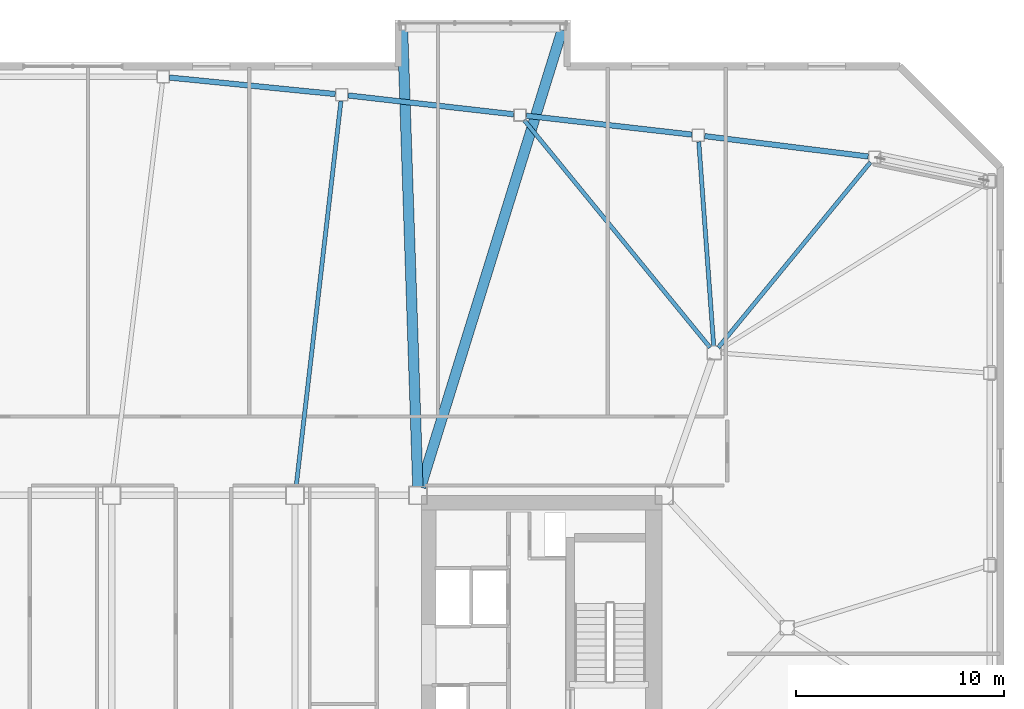
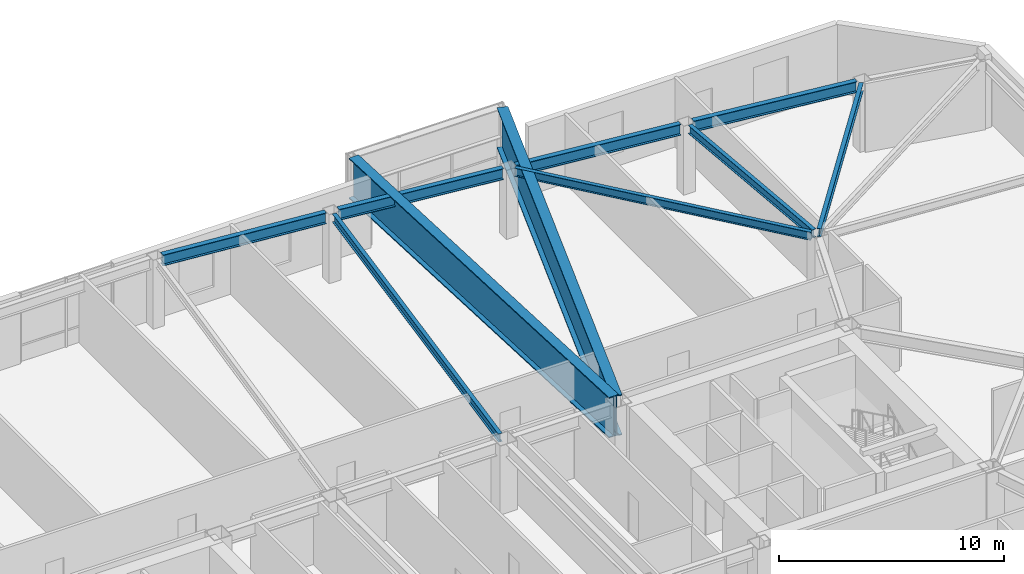
# One storey, part 9 of 20: 10 beams.
"""IFC4 building model written with IfcOpenShell, lengths in metres."""

from ifc_helpers import new_model, si_unit, direction, frame, origin, origin_2d, place, context, subcontext, project, spatial, i_section, extrude, material, material_profile, profile_set, type_object, element, save


model = new_model("IFC4")

# Units and contexts
model_context = context("Model", 3, precision=1e-05, world=origin(), true_north=direction((0.0, 1.0)))
body_context = subcontext(model_context, "Body", "Model", "MODEL_VIEW")
ifc_project = project(units=[si_unit("LENGTHUNIT", "METRE"), si_unit("AREAUNIT", "SQUARE_METRE"), si_unit("VOLUMEUNIT", "CUBIC_METRE"), si_unit("PLANEANGLEUNIT", "RADIAN"), si_unit("MASSUNIT", "GRAM", prefix="KILO")], contexts=[model_context])

# Site, building, storey
site_placement = place(None, origin())
site = spatial("IfcSite", under=ifc_project, at=site_placement, CompositionType="ELEMENT")
building_placement = place(site_placement, origin())
building = spatial("IfcBuilding", under=site, at=building_placement, Name="Tavrogorsk Clinical Tower", CompositionType="ELEMENT")
storey_placement = place(building_placement, frame((0.0, 0.0, 176.199951171875)))
storey = spatial("IfcBuildingStorey", under=building, at=storey_placement, Name="L40", CompositionType="ELEMENT", Elevation=176.199951171875)

# Beams
ifc_material_1 = material(Name="Structural steel S355", Category="steel")
ifc_material_profile_1 = material_profile(ifc_material_1, i_section(OverallWidth=0.199951171875, OverallDepth=0.449951171875, WebThickness=0.011474609375, FlangeThickness=0.01806640625, at=origin_2d()), Name="B-450x200x11.5x18")
ifc_profile_set_1 = profile_set([ifc_material_profile_1], Name="Structural steel S355")
beam_type_1 = type_object("IfcBeamType", Name="FloorBeam_B450", PredefinedType="BEAM", material=ifc_profile_set_1)
beam_1_placement = place(storey_placement, frame((24.69677734375, 13.439453125, 3.51513671875), z_axis=(0.634628511763, 0.772817347151, 0.0), x_axis=(-0.772817347151, 0.634628511763, 0.0)))
element("IfcBeam", 1, at=beam_1_placement, inside=storey, type_object=beam_type_1, Name="L40 Radial Floor Beam N1", PredefinedType="BEAM", context=body_context, shape_type="SweptSolid", body=[
    extrude(i_section(OverallWidth=0.199951171875, OverallDepth=0.449951171875, WebThickness=0.011474609375, FlangeThickness=0.01806640625, at=origin_2d()), origin(), (0.0, 0.0, 1.0), 11.501220703125),
])
beam_2_placement = place(storey_placement, frame((24.477294921875, 13.50927734375, 3.51513671875), z_axis=(-0.072962981763, 0.9973346496, 0.0), x_axis=(-0.9973346496, -0.072962981763, 0.0)))
element("IfcBeam", 2, at=beam_2_placement, inside=storey, type_object=beam_type_1, Name="L40 Radial Floor Beam N2", PredefinedType="BEAM", context=body_context, shape_type="SweptSolid", body=[
    extrude(i_section(OverallWidth=0.199951171875, OverallDepth=0.449951171875, WebThickness=0.011474609375, FlangeThickness=0.01806640625, at=origin_2d()), origin(), (0.0, 0.0, 1.0), 9.827392578125),
])
beam_3_placement = place(storey_placement, frame((24.3037109375, 13.43994140625, 3.51513671875), z_axis=(-0.632955765669, 0.774187960838, 0.0), x_axis=(-0.774187960838, -0.632955765669, 0.0)))
element("IfcBeam", 3, at=beam_3_placement, inside=storey, type_object=beam_type_1, Name="L40 Radial Floor Beam N3", PredefinedType="BEAM", context=body_context, shape_type="SweptSolid", body=[
    extrude(i_section(OverallWidth=0.199951171875, OverallDepth=0.449951171875, WebThickness=0.011474609375, FlangeThickness=0.01806640625, at=origin_2d()), origin(), (0.0, 0.0, 1.0), 14.09716796875),
])
beam_4_placement = place(storey_placement, frame((4.447265625, 6.75732421875, 3.51513671875), z_axis=(0.115490633481, 0.993308569166, 0.0), x_axis=(-0.993308569166, 0.115490633481, 0.0)))
element("IfcBeam", 4, at=beam_4_placement, inside=storey, type_object=beam_type_1, Name="L40 Radial Floor Beam N4", PredefinedType="BEAM", context=body_context, shape_type="SweptSolid", body=[
    extrude(i_section(OverallWidth=0.199951171875, OverallDepth=0.449951171875, WebThickness=0.011474609375, FlangeThickness=0.01806640625, at=origin_2d()), origin(), (0.0, 0.0, 1.0), 18.628173828125),
])
ifc_material_2 = material(Name="Structural steel S390", Category="steel")
ifc_material_profile_2 = material_profile(ifc_material_2, i_section(OverallWidth=0.260009765625, OverallDepth=0.60009765625, WebThickness=0.014892578125, FlangeThickness=0.02392578125, at=origin_2d()), Name="B-600x260x15x24")
ifc_profile_set_2 = profile_set([ifc_material_profile_2], Name="Structural steel S390")
beam_type_2 = type_object("IfcBeamType", Name="SpandrelBeam_B600", PredefinedType="SPANDREL", material=ifc_profile_set_2)
beam_5_placement = place(storey_placement, frame((31.8857421875, 22.60400390625, 3.43994140625), z_axis=(-0.992347112015, 0.123479590521, 0.0), x_axis=(-0.123479590521, -0.992347112015, 0.0)))
element("IfcBeam", 5, at=beam_5_placement, inside=storey, type_object=beam_type_2, Name="L40 Perimeter Spandrel N1-N2", PredefinedType="SPANDREL", context=body_context, shape_type="SweptSolid", body=[
    extrude(i_section(OverallWidth=0.260009765625, OverallDepth=0.60009765625, WebThickness=0.014892578125, FlangeThickness=0.02392578125, at=origin_2d()), origin(), (0.0, 0.0, 1.0), 7.90283203125),
])
beam_6_placement = place(storey_placement, frame((23.431884765625, 23.652587890625, 3.43994140625), z_axis=(-0.993569841398, 0.113220891465, 0.0), x_axis=(-0.113220891465, -0.993569841398, 0.0)))
element("IfcBeam", 6, at=beam_6_placement, inside=storey, type_object=beam_type_2, Name="L40 Perimeter Spandrel N2-N3", PredefinedType="SPANDREL", context=body_context, shape_type="SweptSolid", body=[
    extrude(i_section(OverallWidth=0.260009765625, OverallDepth=0.60009765625, WebThickness=0.014892578125, FlangeThickness=0.02392578125, at=origin_2d()), origin(), (0.0, 0.0, 1.0), 7.9912109375),
])
beam_7_placement = place(storey_placement, frame((14.8798828125, 24.626953125, 3.43994140625), z_axis=(-0.993569449752, 0.113224328304, 0.0), x_axis=(-0.113224328304, -0.993569449752, 0.0)))
element("IfcBeam", 7, at=beam_7_placement, inside=storey, type_object=beam_type_2, Name="L40 Perimeter Spandrel N3-N4", PredefinedType="SPANDREL", context=body_context, shape_type="SweptSolid", body=[
    extrude(i_section(OverallWidth=0.260009765625, OverallDepth=0.60009765625, WebThickness=0.014892578125, FlangeThickness=0.02392578125, at=origin_2d()), origin(), (0.0, 0.0, 1.0), 7.990966796875),
])
beam_8_placement = place(storey_placement, frame((6.32763671875, 25.59716796875, 3.43994140625), z_axis=(-0.995074624158, 0.099128665666, 0.0), x_axis=(-0.099128665666, -0.995074624158, 0.0)))
element("IfcBeam", 8, at=beam_8_placement, inside=storey, type_object=beam_type_2, Name="L40 Perimeter Spandrel N4-N5", PredefinedType="SPANDREL", context=body_context, shape_type="SweptSolid", body=[
    extrude(i_section(OverallWidth=0.260009765625, OverallDepth=0.60009765625, WebThickness=0.014892578125, FlangeThickness=0.02392578125, at=origin_2d()), origin(), (0.0, 0.0, 1.0), 7.991943359375),
])
ifc_material_3 = material(Name="Structural steel S440", Category="steel")
ifc_material_profile_3 = material_profile(ifc_material_3, i_section(OverallWidth=0.5, OverallDepth=2.199951171875, WebThickness=0.035888671875, FlangeThickness=0.054931640625, at=origin_2d()), Name="DK-2200x500x36x55")
ifc_profile_set_3 = profile_set([ifc_material_profile_3], Name="Structural steel S440")
beam_type_3 = type_object("IfcBeamType", Name="TransferGirder_DK2200", PredefinedType="USERDEFINED", material=ifc_profile_set_3)
beam_9_placement = place(storey_placement, frame((10.286376953125, 6.759765625, 2.64013671875), z_axis=(-0.033391250591, 0.999442356709, 0.0), x_axis=(-0.999442356709, -0.033391250591, 0.0)))
element("IfcBeam", 9, at=beam_9_placement, inside=storey, type_object=beam_type_3, Name="L40 Day-Room Cantilever Beam DRB-06-L", ObjectType="GIRDER", PredefinedType="USERDEFINED", context=body_context, shape_type="SweptSolid", body=[
    extrude(i_section(OverallWidth=0.5, OverallDepth=2.199951171875, WebThickness=0.035888671875, FlangeThickness=0.054931640625, at=origin_2d()), origin(), (0.0, 0.0, 1.0), 21.91259765625),
])
beam_10_placement = place(storey_placement, frame((10.421142578125, 6.74169921875, 2.64013671875), z_axis=(0.295730646784, 0.95527136697, 0.0), x_axis=(-0.95527136697, 0.295730646784, 0.0)))
element("IfcBeam", 10, at=beam_10_placement, inside=storey, type_object=beam_type_3, Name="L40 Day-Room Cantilever Beam DRB-06-R", ObjectType="GIRDER", PredefinedType="USERDEFINED", context=body_context, shape_type="SweptSolid", body=[
    extrude(i_section(OverallWidth=0.5, OverallDepth=2.199951171875, WebThickness=0.035888671875, FlangeThickness=0.054931640625, at=origin_2d()), origin(), (0.0, 0.0, 1.0), 22.951171875),
])

save(model, "model.ifc")
